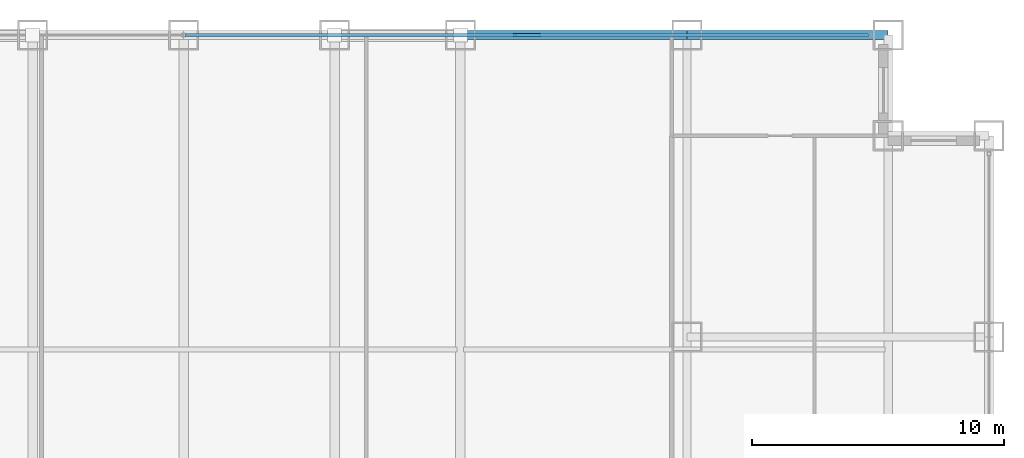
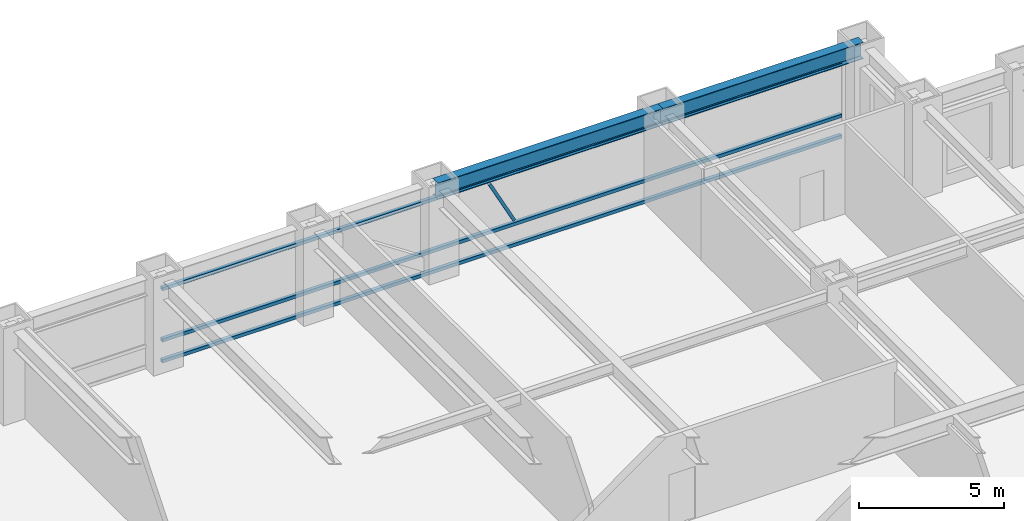
# One storey, part 20 of 28: 4 members, 2 beams, 1 element without a shape of its own.
"""IFC4 building model written with IfcOpenShell, lengths in metres."""

from ifc_helpers import new_model, si_unit, direction, frame, origin, origin_2d, place, context, subcontext, project, spatial, hollow_rectangle, i_section, extrude, source, transform, mapped, material, material_profile, profile_set, type_object, element, aggregate, save


model = new_model("IFC4")

# Units and contexts
model_context = context("Model", 3, precision=1e-05, world=origin(), true_north=direction((0.0, 1.0)))
body_context = subcontext(model_context, "Body", "Model", "MODEL_VIEW")
ifc_project = project(units=[si_unit("LENGTHUNIT", "METRE"), si_unit("AREAUNIT", "SQUARE_METRE"), si_unit("VOLUMEUNIT", "CUBIC_METRE"), si_unit("PLANEANGLEUNIT", "RADIAN"), si_unit("MASSUNIT", "GRAM", prefix="KILO")], contexts=[model_context])

# Site, building, storey
site_placement = place(None, origin())
site = spatial("IfcSite", under=ifc_project, at=site_placement, CompositionType="ELEMENT")
building_placement = place(site_placement, origin())
building = spatial("IfcBuilding", under=site, at=building_placement, Name="Khorayat Bourse Tower", CompositionType="ELEMENT")
storey_placement = place(building_placement, frame((0.0, 0.0, 116.0)))
storey = spatial("IfcBuildingStorey", under=building, at=storey_placement, Name="L26", CompositionType="ELEMENT", Elevation=116.0)

# Beams
ifc_material_1 = material(Name="Steel ASTM A992 Grade 50", Category="steel")
ifc_material_profile_1 = material_profile(ifc_material_1, i_section(OverallWidth=0.35498046875, OverallDepth=0.695068359375, WebThickness=0.015380859375, FlangeThickness=0.02490234375, FilletRadius=0.01806640625, at=origin_2d()), Name="W690X217")
ifc_profile_set_1 = profile_set([ifc_material_profile_1], Name="Steel ASTM A992 Grade 50")
beam_type = type_object("IfcBeamType", Name="BM-SPAN-690", PredefinedType="SPANDREL", material=ifc_profile_set_1)
shared_shape_1 = source(origin(), body_context, "Body", "SweptSolid", [
    extrude(i_section(OverallWidth=0.35498046875, OverallDepth=0.695068359375, WebThickness=0.015380859375, FlangeThickness=0.02490234375, FilletRadius=0.01806640625, at=origin_2d()), origin(), (0.0, 0.0, 1.0), 9.0),
])
beam_1_placement = place(storey_placement, frame((11.0, 32.0, 3.492431640625), z_axis=(1.0, 0.0, 0.0), x_axis=(0.0, 1.0, 0.0)))
element("IfcBeam", 1, at=beam_1_placement, inside=storey, type_object=beam_type, Name="L26 BM-SPAN-690 BM-L26-SPN-045", PredefinedType="SPANDREL", context=body_context, shape_type="MappedRepresentation", body=[
    mapped(shared_shape_1, transform((0.0, 0.0, 0.0), scale=1.0)),
])
shared_shape_2 = source(origin(), body_context, "Body", "SweptSolid", [
    extrude(i_section(OverallWidth=0.35498046875, OverallDepth=0.695068359375, WebThickness=0.015380859375, FlangeThickness=0.02490234375, FilletRadius=0.01806640625, at=origin_2d()), origin(), (0.0, 0.0, 1.0), 8.0),
])
beam_2_placement = place(storey_placement, frame((20.0, 32.0, 3.492431640625), z_axis=(1.0, 0.0, 0.0), x_axis=(0.0, 1.0, 0.0)))
element("IfcBeam", 2, at=beam_2_placement, inside=storey, type_object=beam_type, Name="L26 BM-SPAN-690 BM-L26-SPN-044", PredefinedType="SPANDREL", context=body_context, shape_type="MappedRepresentation", body=[
    mapped(shared_shape_2, transform((0.0, 0.0, 0.0), scale=1.0)),
])

# Curtain wall, members
ifc_material_2 = material(Name="Aluminium EN AW-6063 T6", Category="aluminium")
curtain_wall_type = type_object("IfcCurtainWallType", Name="CW-SYS-02", PredefinedType="NOTDEFINED", material=ifc_material_2)
curtain_wall_placement = place(storey_placement, origin())
curtain_wall = element("IfcCurtainWall", 3, at=curtain_wall_placement, inside=storey, type_object=curtain_wall_type, Name="L26 Curtain Wall CW-L26-N1", PredefinedType="NOTDEFINED")
ifc_material_profile_2 = material_profile(ifc_material_2, hollow_rectangle(XDim=0.139892578125, YDim=0.139892578125, WallThickness=0.006103515625, at=origin_2d()), Name="ALU 140x140x6")
ifc_profile_set_2 = profile_set([ifc_material_profile_2], Name="Aluminium EN AW-6063 T6")
member_type_1 = type_object("IfcMemberType", Name="CWT-HORZ-140", PredefinedType="USERDEFINED", material=ifc_profile_set_2)
shared_shape_3 = source(origin(), body_context, "Body", "SweptSolid", [
    extrude(hollow_rectangle(XDim=0.139892578125, YDim=0.139892578125, WallThickness=0.006103515625, at=origin_2d()), origin(), (0.0, 0.0, 1.0), 27.139892578125),
])
member_1_placement = place(storey_placement, frame((0.070068359375, 32.0, 0.070068359375), z_axis=(1.0, 0.0, 0.0), x_axis=(0.0, 1.0, 0.0)))
member_1 = element("IfcMember", 4, at=member_1_placement, type_object=member_type_1, Name="CW-L26-N1 Horizontal Transom 2-1", ObjectType="TRANSOM", PredefinedType="USERDEFINED", context=body_context, shape_type="MappedRepresentation", body=[
    mapped(shared_shape_3, transform((0.0, 0.0, 0.0), scale=1.0)),
])
member_2_placement = place(storey_placement, frame((0.070068359375, 32.0, 0.949951171875), z_axis=(1.0, 0.0, 0.0), x_axis=(0.0, 1.0, 0.0)))
member_2 = element("IfcMember", 5, at=member_2_placement, type_object=member_type_1, Name="CW-L26-N1 Horizontal Transom 2-2", ObjectType="TRANSOM", PredefinedType="USERDEFINED", context=body_context, shape_type="MappedRepresentation", body=[
    mapped(shared_shape_3, transform((0.0, 0.0, 0.0), scale=1.0)),
])
member_3_placement = place(storey_placement, frame((0.070068359375, 32.0, 3.1201171875), z_axis=(1.0, 0.0, 0.0), x_axis=(0.0, 1.0, 0.0)))
member_3 = element("IfcMember", 6, at=member_3_placement, type_object=member_type_1, Name="CW-L26-N1 Horizontal Transom 2-3", ObjectType="TRANSOM", PredefinedType="USERDEFINED", context=body_context, shape_type="MappedRepresentation", body=[
    mapped(shared_shape_3, transform((0.0, 0.0, 0.0), scale=1.0)),
])
ifc_material_profile_3 = material_profile(ifc_material_2, hollow_rectangle(XDim=0.1201171875, YDim=0.1201171875, WallThickness=0.0048828125, at=origin_2d()), Name="ALU 120x120x5")
ifc_profile_set_3 = profile_set([ifc_material_profile_3], Name="Aluminium EN AW-6063 T6")
member_type_2 = type_object("IfcMemberType", Name="CWM-DIAG-120", PredefinedType="MULLION", material=ifc_profile_set_3)
shared_shape_4 = source(origin(), body_context, "Body", "SweptSolid", [
    extrude(hollow_rectangle(XDim=0.1201171875, YDim=0.1201171875, WallThickness=0.0048828125, at=origin_2d()), origin(), (0.0, 0.0, 1.0), 2.113037109375),
])
member_4_placement = place(storey_placement, frame((14.132080078125, 32.0, 1.10009765625), z_axis=(-0.465741670874, 0.0, 0.884920728659), x_axis=(0.0, -1.0, 0.0)))
member_4 = element("IfcMember", 7, at=member_4_placement, type_object=member_type_2, Name="CW-L26-N1 Faceted Diagonal Mullion 2", PredefinedType="MULLION", context=body_context, shape_type="MappedRepresentation", body=[
    mapped(shared_shape_4, transform((0.0, 0.0, 0.0), scale=1.0)),
])
aggregate(curtain_wall, [member_1, member_2, member_3, member_4])

save(model, "model.ifc")
